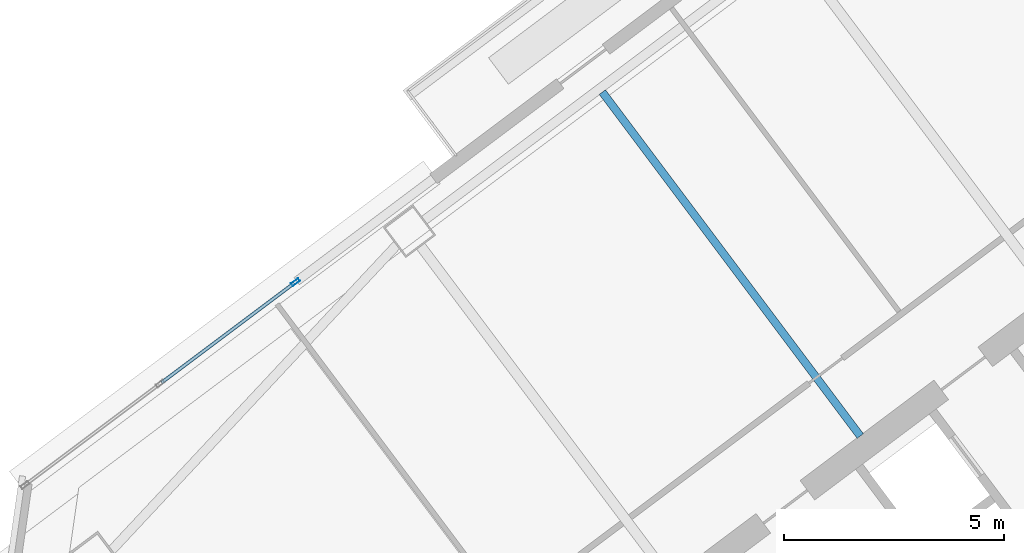
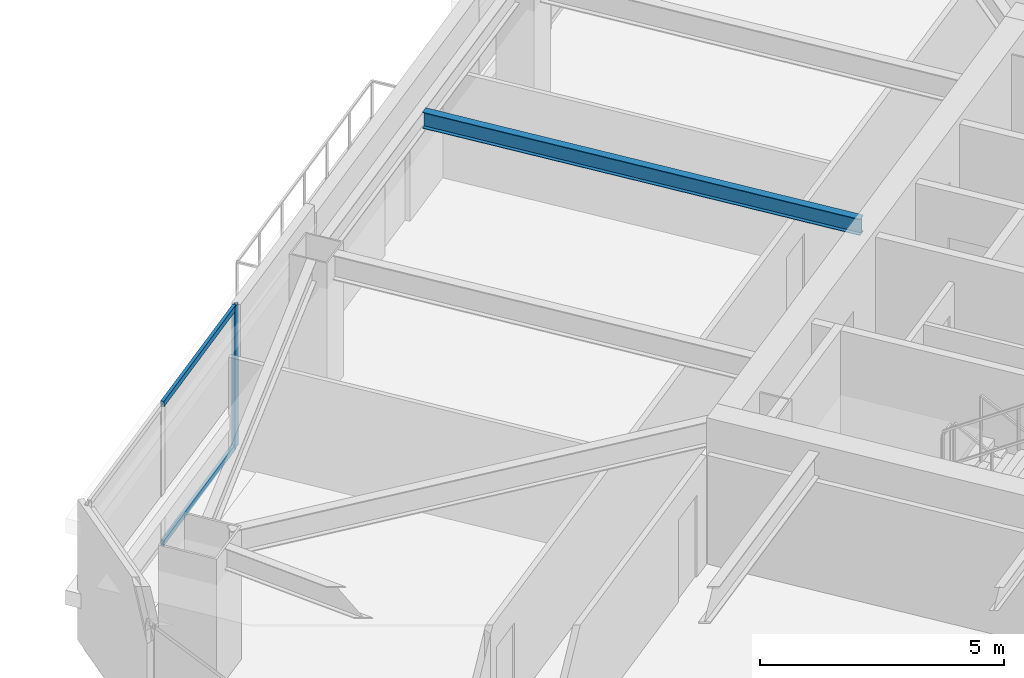
# One storey, part 29 of 48: 3 members, 1 beam, 1 element without a shape of its own.
"""IFC4 building model written with IfcOpenShell, lengths in metres."""

from ifc_helpers import new_model, si_unit, direction, frame, origin, origin_2d, place, context, subcontext, project, spatial, hollow_rectangle, i_section, extrude, material, material_profile, profile_set, type_object, element, aggregate, save


model = new_model("IFC4")

# Units and contexts
model_context = context("Model", 3, precision=1e-05, world=origin(), true_north=direction((0.0, 1.0)))
body_context = subcontext(model_context, "Body", "Model", "MODEL_VIEW")
ifc_project = project(units=[si_unit("LENGTHUNIT", "METRE"), si_unit("AREAUNIT", "SQUARE_METRE"), si_unit("VOLUMEUNIT", "CUBIC_METRE"), si_unit("PLANEANGLEUNIT", "RADIAN"), si_unit("MASSUNIT", "GRAM", prefix="KILO")], contexts=[model_context])

# Site, building, storey
site_placement = place(None, origin())
site = spatial("IfcSite", under=ifc_project, at=site_placement, CompositionType="ELEMENT")
building_placement = place(site_placement, origin())
building = spatial("IfcBuilding", under=site, at=building_placement, Name="Tashvorn Skyway Center", CompositionType="ELEMENT")
storey_placement = place(building_placement, frame((0.0, 0.0, 125.050048828125)))
storey = spatial("IfcBuildingStorey", under=building, at=storey_placement, Name="L33", CompositionType="ELEMENT", Elevation=125.050048828125)

# Beam
ifc_material_1 = material(Name="Steel ASTM A992 Grade 50", Category="steel")
ifc_material_profile_1 = material_profile(ifc_material_1, i_section(OverallWidth=0.177978515625, OverallDepth=0.406005859375, WebThickness=0.0078125, FlangeThickness=0.0126953125, at=origin_2d()), Name="W16X40")
ifc_profile_set_1 = profile_set([ifc_material_profile_1], Name="Steel ASTM A992 Grade 50")
beam_type = type_object("IfcBeamType", Name="BM-JOIST-W16X40", PredefinedType="JOIST", material=ifc_profile_set_1)
beam_placement = place(storey_placement, frame((109.325927734375, 38.23193359375, 3.1669921875), z_axis=(-0.599991997409, 0.800006001881, 0.0), x_axis=(-0.800006001881, -0.599991997409, 0.0)))
element("IfcBeam", 1, at=beam_placement, inside=storey, type_object=beam_type, Name="Tower 2 L33 Secondary Composite Joist JN", PredefinedType="JOIST", context=body_context, shape_type="SweptSolid", body=[
    extrude(i_section(OverallWidth=0.177978515625, OverallDepth=0.406005859375, WebThickness=0.0078125, FlangeThickness=0.0126953125, at=origin_2d()), origin(), (0.0, 0.0, 1.0), 9.762451171875),
])

# Curtain wall, members
ifc_material_2 = material(Name="Thermally broken bronze-anodized aluminium 6063-T6", Category="aluminium")
curtain_wall_type = type_object("IfcCurtainWallType", Name="CW-CW-Z3", PredefinedType="NOTDEFINED", material=ifc_material_2)
curtain_wall_placement = place(storey_placement, origin())
curtain_wall = element("IfcCurtainWall", 2, at=curtain_wall_placement, inside=storey, type_object=curtain_wall_type, Name="Tower 2 L33 North Curtain Wall L Glazing Group 1", PredefinedType="NOTDEFINED")
ifc_material_profile_2 = material_profile(ifc_material_2, hollow_rectangle(XDim=0.074951171875, YDim=0.199951171875, WallThickness=0.00439453125, at=origin_2d()), Name="ALU-MULL-75x200")
ifc_profile_set_2 = profile_set([ifc_material_profile_2], Name="Thermally broken bronze-anodized aluminium 6063-T6")
member_type_1 = type_object("IfcMemberType", Name="CWM-CW-Z3", PredefinedType="MULLION", material=ifc_profile_set_2)
member_1_placement = place(storey_placement, frame((96.500732421875, 41.7255859375, 0.0), z_axis=(0.0, 0.0, 1.0), x_axis=(-0.599997936379, 0.800001547712, 0.0)))
member_1 = element("IfcMember", 3, at=member_1_placement, type_object=member_type_1, Name="CW-Z3 mullion 3", PredefinedType="MULLION", context=body_context, shape_type="SweptSolid", body=[
    extrude(hollow_rectangle(XDim=0.074951171875, YDim=0.199951171875, WallThickness=0.00439453125, at=origin_2d()), origin(), (0.0, 0.0, 1.0), 3.550048828125),
])
ifc_material_profile_3 = material_profile(ifc_material_2, hollow_rectangle(XDim=0.074951171875, YDim=0.139892578125, WallThickness=0.004150390625, at=origin_2d()), Name="ALU-TRAN-75x140")
ifc_profile_set_3 = profile_set([ifc_material_profile_3], Name="Thermally broken bronze-anodized aluminium 6063-T6")
member_type_2 = type_object("IfcMemberType", Name="CWT-CW-Z3", PredefinedType="USERDEFINED", material=ifc_profile_set_3)
member_2_placement = place(storey_placement, frame((93.459228515625, 39.444580078125, 0.037353515625), z_axis=(0.80003891387, 0.599948111334, 0.0), x_axis=(-0.599948111334, 0.80003891387, 0.0)))
member_2 = element("IfcMember", 4, at=member_2_placement, type_object=member_type_2, Name="CW-Z3 transom 2.1", ObjectType="TRANSOM", PredefinedType="USERDEFINED", context=body_context, shape_type="SweptSolid", body=[
    extrude(hollow_rectangle(XDim=0.074951171875, YDim=0.139892578125, WallThickness=0.004150390625, at=origin_2d()), origin(), (0.0, 0.0, 1.0), 3.76416015625),
])
member_3_placement = place(storey_placement, frame((93.459228515625, 39.444580078125, 3.512451171875), z_axis=(0.80003891387, 0.599948111334, 0.0), x_axis=(-0.599948111334, 0.80003891387, 0.0)))
member_3 = element("IfcMember", 5, at=member_3_placement, type_object=member_type_2, Name="CW-Z3 transom 2.2", ObjectType="TRANSOM", PredefinedType="USERDEFINED", context=body_context, shape_type="SweptSolid", body=[
    extrude(hollow_rectangle(XDim=0.074951171875, YDim=0.139892578125, WallThickness=0.004150390625, at=origin_2d()), origin(), (0.0, 0.0, 1.0), 3.76416015625),
])
aggregate(curtain_wall, [member_1, member_2, member_3])

save(model, "model.ifc")
